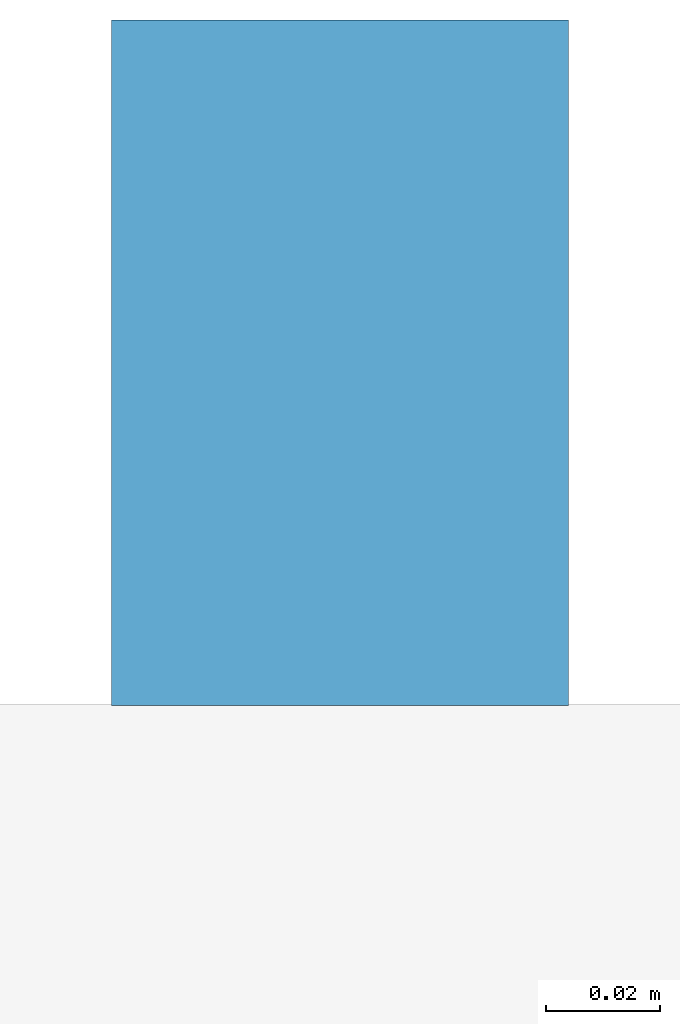
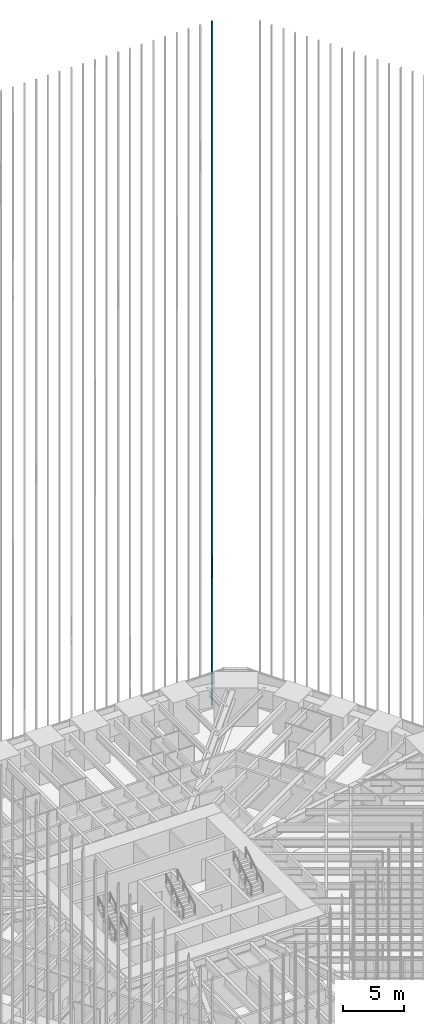
# One storey, part 246 of 256: 1 member, 1 element without a shape of its own.
"""IFC4 building model written with IfcOpenShell, lengths in metres."""

from ifc_helpers import new_model, si_unit, direction, frame, origin, origin_2d, place, context, subcontext, project, spatial, rectangle, extrude, material, material_profile, profile_set, type_object, element, aggregate, save


model = new_model("IFC4")

# Units and contexts
model_context = context("Model", 3, precision=1e-05, world=origin(), true_north=direction((0.0, 1.0)))
body_context = subcontext(model_context, "Body", "Model", "MODEL_VIEW")
ifc_project = project(units=[si_unit("LENGTHUNIT", "METRE"), si_unit("AREAUNIT", "SQUARE_METRE"), si_unit("VOLUMEUNIT", "CUBIC_METRE"), si_unit("PLANEANGLEUNIT", "RADIAN"), si_unit("MASSUNIT", "GRAM", prefix="KILO")], contexts=[model_context])

# Site, building, storey
site_placement = place(None, origin())
site = spatial("IfcSite", under=ifc_project, at=site_placement, CompositionType="ELEMENT")
building_placement = place(site_placement, origin())
building = spatial("IfcBuilding", under=site, at=building_placement, Name="Sandreach Pilgrim Tower", CompositionType="ELEMENT")
storey_placement = place(building_placement, frame((0.0, 0.0, 23.0)))
storey = spatial("IfcBuildingStorey", under=building, at=storey_placement, Name="L04", CompositionType="ELEMENT", Elevation=23.0)

# Curtain wall, member
ifc_material_1 = material(Name="Aluminium framed curtain wall", Category="aluminium")
curtain_wall_type = type_object("IfcCurtainWallType", Name="Hostel tower curtain wall", PredefinedType="NOTDEFINED", material=ifc_material_1)
curtain_wall_placement = place(storey_placement, origin())
curtain_wall = element("IfcCurtainWall", 1, at=curtain_wall_placement, inside=storey, type_object=curtain_wall_type, Name="CW-1 L04 N", PredefinedType="NOTDEFINED")
ifc_material_2 = material(Name="Extruded terracotta on aluminium core", Category="masonry")
ifc_material_profile = material_profile(ifc_material_2, rectangle(XDim=0.080078125, YDim=0.1201171875, at=origin_2d()), Name="TBN 80X120")
ifc_profile_set = profile_set([ifc_material_profile], Name="Extruded terracotta on aluminium core")
member_type = type_object("IfcMemberType", Name="Terracotta baguette north", PredefinedType="USERDEFINED", material=ifc_profile_set)
member_placement = place(storey_placement, frame((18.775390625, 24.30859375, 0.0), z_axis=(0.0, 0.0, 1.0), x_axis=(1.0, 0.0, 0.0)))
member = element("IfcMember", 2, at=member_placement, type_object=member_type, Name="Baguette Z1 N35", ObjectType="BAGUETTE", PredefinedType="USERDEFINED", context=body_context, shape_type="SweptSolid", body=[
    extrude(rectangle(XDim=0.080078125, YDim=0.1201171875, at=origin_2d()), origin(), (0.0, 0.0, 1.0), 68.239990234375),
])
aggregate(curtain_wall, [member])

save(model, "model.ifc")
